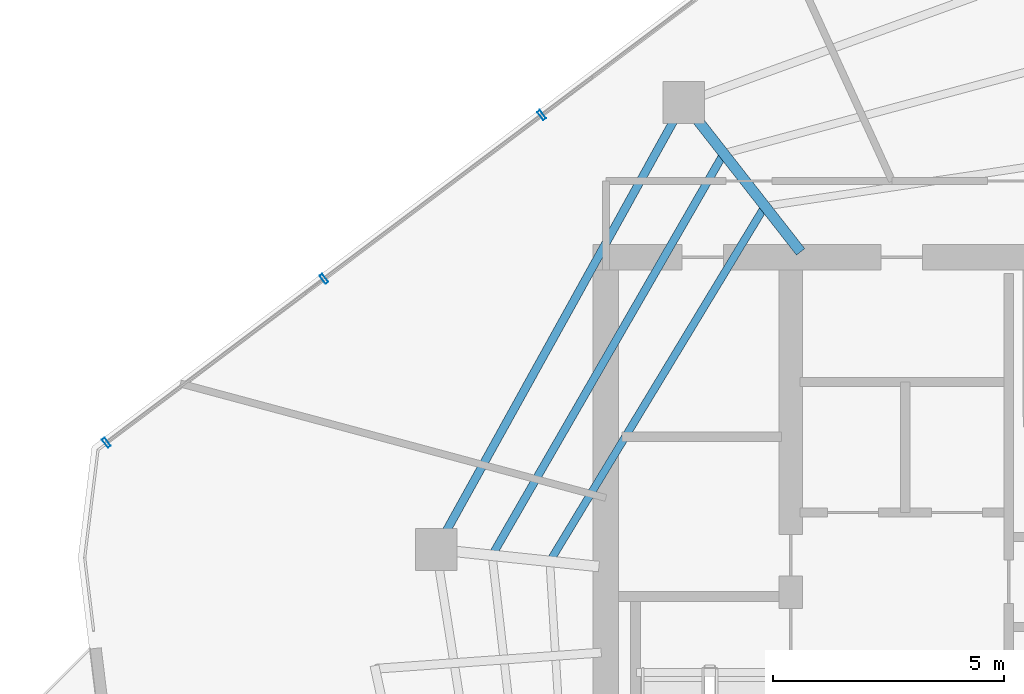
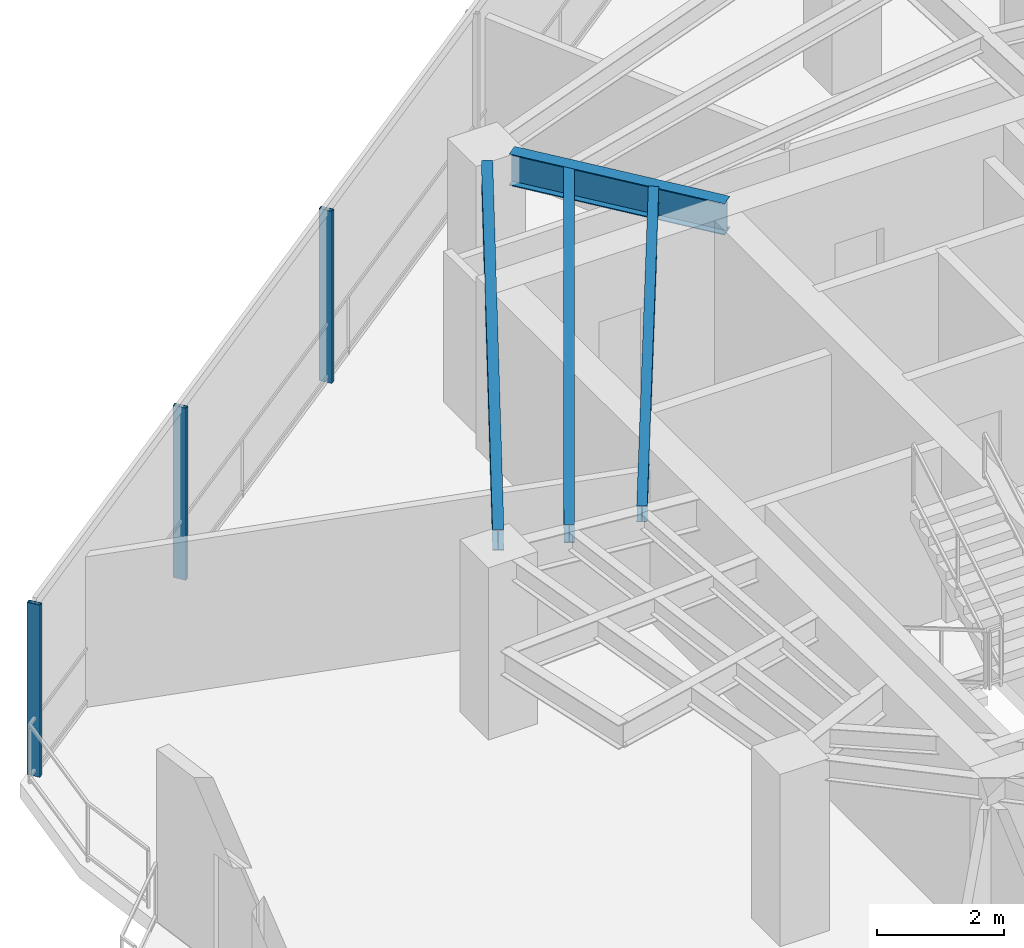
# One storey, part 5 of 18: 4 beams, 3 members, 1 element without a shape of its own.
"""IFC4 building model written with IfcOpenShell, lengths in metres."""

from ifc_helpers import new_model, si_unit, direction, frame, origin, origin_2d, place, context, subcontext, project, spatial, hollow_rectangle, i_section, extrude, material, layer, layer_set, material_profile, profile_set, type_object, element, aggregate, save


model = new_model("IFC4")

# Units and contexts
model_context = context("Model", 3, precision=1e-05, world=origin(), true_north=direction((0.0, 1.0)))
body_context = subcontext(model_context, "Body", "Model", "MODEL_VIEW")
ifc_project = project(units=[si_unit("LENGTHUNIT", "METRE"), si_unit("AREAUNIT", "SQUARE_METRE"), si_unit("VOLUMEUNIT", "CUBIC_METRE"), si_unit("PLANEANGLEUNIT", "RADIAN"), si_unit("MASSUNIT", "GRAM", prefix="KILO")], contexts=[model_context])

# Site, building, storey
site_placement = place(None, origin())
site = spatial("IfcSite", under=ifc_project, at=site_placement, CompositionType="ELEMENT")
building_placement = place(site_placement, origin())
building = spatial("IfcBuilding", under=site, at=building_placement, Name="Qarnah Convention Tower", CompositionType="ELEMENT")
storey_placement = place(building_placement, frame((0.0, 0.0, 205.800048828125)))
storey = spatial("IfcBuildingStorey", under=building, at=storey_placement, Name="L55", CompositionType="ELEMENT", Elevation=205.800048828125)

# Beams
ifc_material_1 = material(Name="Structural steel S355JR", Category="steel")
ifc_material_profile_1 = material_profile(ifc_material_1, i_section(OverallWidth=0.166015625, OverallDepth=0.31201171875, WebThickness=0.007080078125, FlangeThickness=0.010986328125, at=origin_2d()), Name="W310X45")
ifc_profile_set_1 = profile_set([ifc_material_profile_1], Name="Structural steel S355JR")
beam_type_1 = type_object("IfcBeamType", Name="BM-JST-W310", PredefinedType="JOIST", material=ifc_profile_set_1)
beam_1_placement = place(storey_placement, frame((30.195068359375, 35.22802734375, 3.1640625), z_axis=(-0.517953819746, -0.855408581095, 0.0), x_axis=(0.855408581095, -0.517953819746, 0.0)))
element("IfcBeam", 1, at=beam_1_placement, inside=storey, type_object=beam_type_1, Name="L55 joist BM-L55-IJST-04", PredefinedType="JOIST", context=body_context, shape_type="SweptSolid", body=[
    extrude(i_section(OverallWidth=0.166015625, OverallDepth=0.31201171875, WebThickness=0.007080078125, FlangeThickness=0.010986328125, at=origin_2d()), origin(), (0.0, 0.0, 1.0), 8.803955078125),
])
ifc_material_profile_2 = material_profile(ifc_material_1, i_section(OverallWidth=0.172119140625, OverallDepth=0.35595703125, WebThickness=0.007080078125, FlangeThickness=0.011962890625, at=origin_2d()), Name="W360X51")
ifc_profile_set_2 = profile_set([ifc_material_profile_2], Name="Structural steel S355JR")
beam_type_2 = type_object("IfcBeamType", Name="BM-JST-W360", PredefinedType="JOIST", material=ifc_profile_set_2)
beam_2_placement = place(storey_placement, frame((29.306884765625, 36.365966796875, 3.141845703125), z_axis=(-0.499518662922, -0.866303125582, 0.0), x_axis=(0.866303125582, -0.499518662922, 0.0)))
element("IfcBeam", 2, at=beam_2_placement, inside=storey, type_object=beam_type_2, Name="L55 joist BM-L55-SJST-04", PredefinedType="JOIST", context=body_context, shape_type="SweptSolid", body=[
    extrude(i_section(OverallWidth=0.172119140625, OverallDepth=0.35595703125, WebThickness=0.007080078125, FlangeThickness=0.011962890625, at=origin_2d()), origin(), (0.0, 0.0, 1.0), 9.853271484375),
])
ifc_material_profile_3 = material_profile(ifc_material_1, i_section(OverallWidth=0.22802734375, OverallDepth=0.60791015625, WebThickness=0.010986328125, FlangeThickness=0.01708984375, at=origin_2d()), Name="W610X113")
ifc_profile_set_3 = profile_set([ifc_material_profile_3], Name="Structural steel S355JR")
beam_type_3 = type_object("IfcBeamType", Name="BM-RAD-W610B", PredefinedType="BEAM", material=ifc_profile_set_3)
beam_3_placement = place(storey_placement, frame((31.013916015625, 34.318115234375, 3.015869140625), z_axis=(-0.615807906571, 0.787896327066, 0.0), x_axis=(-0.787896327066, -0.615807906571, 0.0)))
element("IfcBeam", 3, at=beam_3_placement, inside=storey, type_object=beam_type_3, Name="L55 beam BM-L55-RAD-04", PredefinedType="BEAM", context=body_context, shape_type="SweptSolid", body=[
    extrude(i_section(OverallWidth=0.22802734375, OverallDepth=0.60791015625, WebThickness=0.010986328125, FlangeThickness=0.01708984375, at=origin_2d()), origin(), (0.0, 0.0, 1.0), 3.671630859375),
])
ifc_material_profile_4 = material_profile(ifc_material_1, i_section(OverallWidth=0.179931640625, OverallDepth=0.39990234375, WebThickness=0.009033203125, FlangeThickness=0.013916015625, at=origin_2d()), Name="IPE400")
ifc_profile_set_4 = profile_set([ifc_material_profile_4], Name="Structural steel S355JR")
beam_type_4 = type_object("IfcBeamType", Name="BM-SPN-IPE400", PredefinedType="SPANDREL", material=ifc_profile_set_4)
beam_4_placement = place(storey_placement, frame((28.27490234375, 37.1650390625, 3.119873046875), z_axis=(-0.48479945923, -0.874625339406, 0.0), x_axis=(0.874625339406, -0.48479945923, 0.0)))
element("IfcBeam", 4, at=beam_4_placement, inside=storey, type_object=beam_type_4, Name="L55 spandrel BM-L55-SPN-04", PredefinedType="SPANDREL", context=body_context, shape_type="SweptSolid", body=[
    extrude(i_section(OverallWidth=0.179931640625, OverallDepth=0.39990234375, WebThickness=0.009033203125, FlangeThickness=0.013916015625, at=origin_2d()), origin(), (0.0, 0.0, 1.0), 10.177001953125),
])

# Curtain wall, members
ifc_material_2 = material(Name="Tempered Low-E dark glass", Category="glass")
ifc_layer = layer(ifc_material_2, 0.174072265625)
ifc_layer_set = layer_set([ifc_layer], Name="Tempered Low-E dark glass")
curtain_wall_type = type_object("IfcCurtainWallType", Name="CWS-04", PredefinedType="NOTDEFINED", material=ifc_layer_set)
curtain_wall_placement = place(storey_placement, origin())
curtain_wall = element("IfcCurtainWall", 5, at=curtain_wall_placement, inside=storey, type_object=curtain_wall_type, Name="L55 unitised curtain wall CW-L55-F2", PredefinedType="NOTDEFINED")
ifc_material_3 = material(Name="Black anodised aluminium", Category="aluminium")
ifc_material_profile_5 = material_profile(ifc_material_3, hollow_rectangle(XDim=0.074951171875, YDim=0.219970703125, WallThickness=0.0048828125, at=origin_2d()), Name="MUL-75X220")
ifc_profile_set_5 = profile_set([ifc_material_profile_5], Name="Black anodised aluminium")
member_type = type_object("IfcMemberType", Name="MUL-T4", PredefinedType="MULLION", material=ifc_profile_set_5)
member_1_placement = place(storey_placement, frame((15.992919921875, 30.18994140625, 0.0), z_axis=(0.0, 0.0, 1.0), x_axis=(0.799033812061, 0.601286094287, 0.0)))
member_1 = element("IfcMember", 6, at=member_1_placement, type_object=member_type, Name="CW-L55-F2 mullion 1", PredefinedType="MULLION", context=body_context, shape_type="SweptSolid", body=[
    extrude(hollow_rectangle(XDim=0.074951171875, YDim=0.219970703125, WallThickness=0.0048828125, at=origin_2d()), origin(), (0.0, 0.0, 1.0), 3.320068359375),
])
member_2_placement = place(storey_placement, frame((20.701904296875, 33.733642578125, 0.0), z_axis=(0.0, 0.0, 1.0), x_axis=(0.799033812061, 0.601286094287, 0.0)))
member_2 = element("IfcMember", 7, at=member_2_placement, type_object=member_type, Name="CW-L55-F2 mullion 2", PredefinedType="MULLION", context=body_context, shape_type="SweptSolid", body=[
    extrude(hollow_rectangle(XDim=0.074951171875, YDim=0.219970703125, WallThickness=0.0048828125, at=origin_2d()), origin(), (0.0, 0.0, 1.0), 3.320068359375),
])
member_3_placement = place(storey_placement, frame((25.410888671875, 37.277099609375, 0.0), z_axis=(0.0, 0.0, 1.0), x_axis=(0.799033812061, 0.601286094287, 0.0)))
member_3 = element("IfcMember", 8, at=member_3_placement, type_object=member_type, Name="CW-L55-F2 mullion 3", PredefinedType="MULLION", context=body_context, shape_type="SweptSolid", body=[
    extrude(hollow_rectangle(XDim=0.074951171875, YDim=0.219970703125, WallThickness=0.0048828125, at=origin_2d()), origin(), (0.0, 0.0, 1.0), 3.320068359375),
])
aggregate(curtain_wall, [member_1, member_2, member_3])

save(model, "model.ifc")
